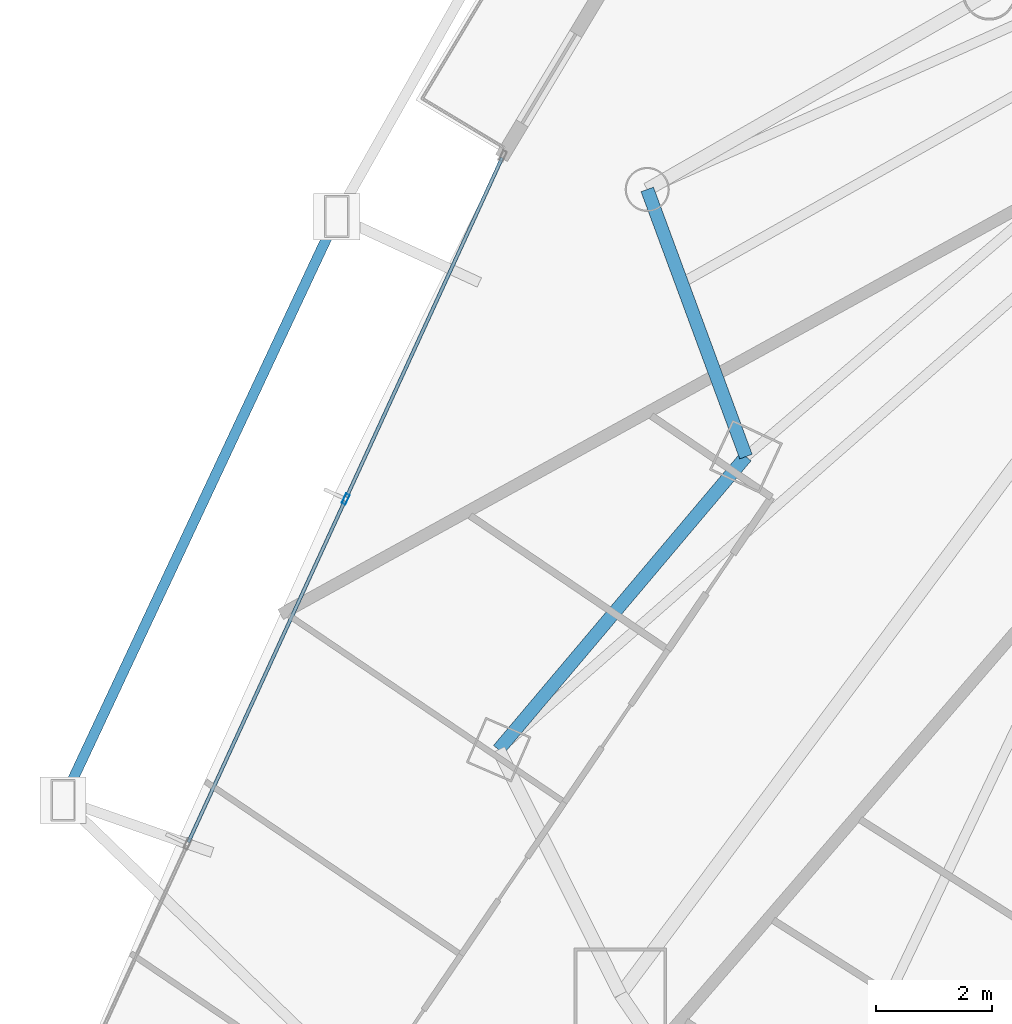
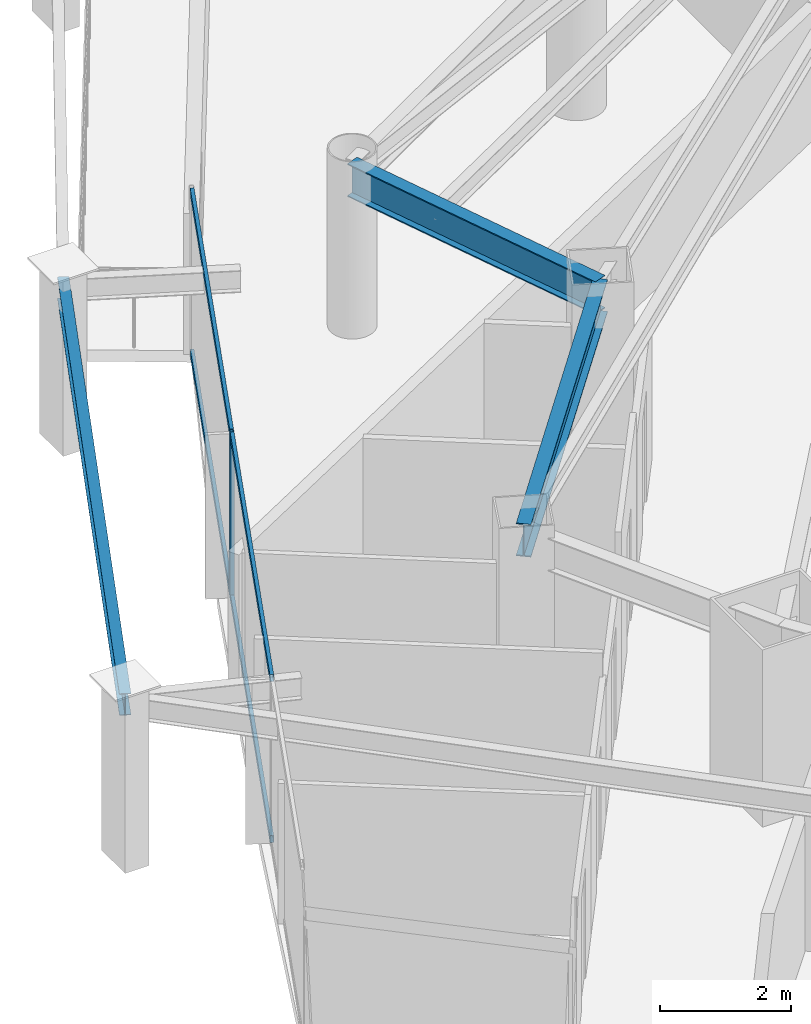
# One storey, part 9 of 35: 5 members, 3 beams, 1 element without a shape of its own.
"""IFC4 building model written with IfcOpenShell, lengths in metres."""

from ifc_helpers import new_model, si_unit, direction, frame, origin, origin_2d, place, context, subcontext, project, spatial, hollow_rectangle, i_section, extrude, material, layer, layer_set, material_profile, profile_set, type_object, element, aggregate, save


model = new_model("IFC4")

# Units and contexts
model_context = context("Model", 3, precision=1e-05, world=origin(), true_north=direction((0.0, 1.0)))
body_context = subcontext(model_context, "Body", "Model", "MODEL_VIEW")
ifc_project = project(units=[si_unit("LENGTHUNIT", "METRE"), si_unit("AREAUNIT", "SQUARE_METRE"), si_unit("VOLUMEUNIT", "CUBIC_METRE"), si_unit("PLANEANGLEUNIT", "RADIAN"), si_unit("MASSUNIT", "GRAM", prefix="KILO")], contexts=[model_context])

# Site, building, storey
site_placement = place(None, origin())
site = spatial("IfcSite", under=ifc_project, at=site_placement, CompositionType="ELEMENT")
building_placement = place(site_placement, origin())
building = spatial("IfcBuilding", under=site, at=building_placement, Name="Orvanel Arch Residences", CompositionType="ELEMENT")
storey_placement = place(building_placement, frame((0.0, 0.0, 30.199951171875)))
storey = spatial("IfcBuildingStorey", under=building, at=storey_placement, Name="L07", CompositionType="ELEMENT", Elevation=30.199951171875)

# Curtain wall, member
ifc_material_1 = material(Name="Bronze-anodised aluminium AA6063-T6", Category="aluminium")
ifc_layer = layer(ifc_material_1, 0.179931640625)
ifc_layer_set = layer_set([ifc_layer], Name="Bronze-anodised aluminium AA6063-T6")
curtain_wall_type = type_object("IfcCurtainWallType", Name="CW2-LOW-SYS", PredefinedType="NOTDEFINED", material=ifc_layer_set)
curtain_wall_placement = place(storey_placement, origin())
curtain_wall = element("IfcCurtainWall", 1, at=curtain_wall_placement, inside=storey, type_object=curtain_wall_type, Name="L07 CW2-LOW-SYS Unitised Curtain Wall", PredefinedType="NOTDEFINED")
ifc_material_profile_1 = material_profile(ifc_material_1, hollow_rectangle(XDim=0.070068359375, YDim=0.179931640625, WallThickness=0.00439453125, at=origin_2d()), Name="ALU180x70x4.5")
ifc_profile_set_1 = profile_set([ifc_material_profile_1], Name="Bronze-anodised aluminium AA6063-T6")
member_type_1 = type_object("IfcMemberType", Name="MUL-180x70", PredefinedType="MULLION", material=ifc_profile_set_1)
member_1_placement = place(storey_placement, frame((9.4541015625, 18.908447265625, 0.0), z_axis=(0.0, 0.0, 1.0), x_axis=(0.909015042916, -0.416763304229, 0.0)))
member_1 = element("IfcMember", 2, at=member_1_placement, type_object=member_type_1, Name="CW-S2 mullion 2", PredefinedType="MULLION", context=body_context, shape_type="SweptSolid", body=[
    extrude(hollow_rectangle(XDim=0.070068359375, YDim=0.179931640625, WallThickness=0.00439453125, at=origin_2d()), origin(), (0.0, 0.0, 1.0), 3.06005859375),
])

# Beams
ifc_material_2 = material(Name="Structural steel AS/NZS 3679.1 Grade 300 (300 MPa)", Category="steel")
ifc_material_profile_2 = material_profile(ifc_material_2, i_section(OverallWidth=0.177978515625, OverallDepth=0.406005859375, WebThickness=0.0078125, FlangeThickness=0.0126953125, at=origin_2d()), Name="410UB59.7")
ifc_profile_set_2 = profile_set([ifc_material_profile_2], Name="Structural steel AS/NZS 3679.1 Grade 300 (300 MPa)")
beam_type_1 = type_object("IfcBeamType", Name="OB-410UB-EXT", PredefinedType="SPANDREL", material=ifc_profile_set_2)
beam_1_placement = place(storey_placement, frame((9.300048828125, 23.787109375, 2.85693359375), z_axis=(-0.424615912587, -0.905373584095, 0.0), x_axis=(0.905373584095, -0.424615912587, 0.0)))
element("IfcBeam", 3, at=beam_1_placement, inside=storey, type_object=beam_type_1, Name="L07 Outer Perimeter Floor Ring Beam 03", PredefinedType="SPANDREL", context=body_context, shape_type="SweptSolid", body=[
    extrude(i_section(OverallWidth=0.177978515625, OverallDepth=0.406005859375, WebThickness=0.0078125, FlangeThickness=0.0126953125, at=origin_2d()), origin(), (0.0, 0.0, 1.0), 11.132568359375),
])
ifc_material_profile_3 = material_profile(ifc_material_2, i_section(OverallWidth=0.22900390625, OverallDepth=0.612060546875, WebThickness=0.011962890625, FlangeThickness=0.01953125, at=origin_2d()), Name="610UB125")
ifc_profile_set_3 = profile_set([ifc_material_profile_3], Name="Structural steel AS/NZS 3679.1 Grade 300 (300 MPa)")
beam_type_2 = type_object("IfcBeamType", Name="SP-610UB", PredefinedType="SPANDREL", material=ifc_profile_set_3)
beam_2_placement = place(storey_placement, frame((16.366943359375, 19.64208984375, 2.754150390625), z_axis=(-0.644950329775, -0.764224490659, 0.0), x_axis=(0.764224490659, -0.644950329775, 0.0)))
element("IfcBeam", 4, at=beam_2_placement, inside=storey, type_object=beam_type_2, Name="L07 Perimeter Spandrel Beam 01", PredefinedType="SPANDREL", context=body_context, shape_type="SweptSolid", body=[
    extrude(i_section(OverallWidth=0.22900390625, OverallDepth=0.612060546875, WebThickness=0.011962890625, FlangeThickness=0.01953125, at=origin_2d()), origin(), (0.0, 0.0, 1.0), 6.623779296875),
])
beam_3_placement = place(storey_placement, frame((14.662109375, 24.256103515625, 2.754150390625), z_axis=(0.346588434017, -0.938017301229, 0.0), x_axis=(0.938017301229, 0.346588434017, 0.0)))
element("IfcBeam", 5, at=beam_3_placement, inside=storey, type_object=beam_type_2, Name="L07 Perimeter Spandrel Beam 22", PredefinedType="SPANDREL", context=body_context, shape_type="SweptSolid", body=[
    extrude(i_section(OverallWidth=0.22900390625, OverallDepth=0.612060546875, WebThickness=0.011962890625, FlangeThickness=0.01953125, at=origin_2d()), origin(), (0.0, 0.0, 1.0), 4.9189453125),
])

# Member
ifc_material_profile_4 = material_profile(ifc_material_1, hollow_rectangle(XDim=0.06005859375, YDim=0.135009765625, WallThickness=0.00390625, at=origin_2d()), Name="ALU135x60x4")
ifc_profile_set_4 = profile_set([ifc_material_profile_4], Name="Bronze-anodised aluminium AA6063-T6")
member_type_2 = type_object("IfcMemberType", Name="TRN-135x60", PredefinedType="USERDEFINED", material=ifc_profile_set_4)
member_2_placement = place(storey_placement, frame((12.15576171875, 24.80126953125, 0.030029296875), z_axis=(-0.416773352325, -0.909010436019, 0.0), x_axis=(0.909010436019, -0.416773352325, 0.0)))
member_2 = element("IfcMember", 6, at=member_2_placement, type_object=member_type_2, Name="CW-S2 transom 1.1", ObjectType="TRANSOM", PredefinedType="USERDEFINED", context=body_context, shape_type="SweptSolid", body=[
    extrude(hollow_rectangle(XDim=0.06005859375, YDim=0.135009765625, WallThickness=0.00390625, at=origin_2d()), origin(), (0.0, 0.0, 1.0), 6.44775390625),
])

member_3_placement = place(storey_placement, frame((12.15576171875, 24.80126953125, 3.030029296875), z_axis=(-0.416773352325, -0.909010436019, 0.0), x_axis=(0.909010436019, -0.416773352325, 0.0)))
member_3 = element("IfcMember", 7, at=member_3_placement, type_object=member_type_2, Name="CW-S2 transom 1.2", ObjectType="TRANSOM", PredefinedType="USERDEFINED", context=body_context, shape_type="SweptSolid", body=[
    extrude(hollow_rectangle(XDim=0.06005859375, YDim=0.135009765625, WallThickness=0.00390625, at=origin_2d()), origin(), (0.0, 0.0, 1.0), 6.44775390625),
])

member_4_placement = place(storey_placement, frame((9.439453125, 18.87646484375, 0.030029296875), z_axis=(-0.416771411931, -0.90901132567, 0.0), x_axis=(0.90901132567, -0.416771411931, 0.0)))
member_4 = element("IfcMember", 8, at=member_4_placement, type_object=member_type_2, Name="CW-S2 transom 2.1", ObjectType="TRANSOM", PredefinedType="USERDEFINED", context=body_context, shape_type="SweptSolid", body=[
    extrude(hollow_rectangle(XDim=0.06005859375, YDim=0.135009765625, WallThickness=0.00390625, at=origin_2d()), origin(), (0.0, 0.0, 1.0), 6.48291015625),
])

member_5_placement = place(storey_placement, frame((9.439453125, 18.87646484375, 3.030029296875), z_axis=(-0.416771411931, -0.90901132567, 0.0), x_axis=(0.90901132567, -0.416771411931, 0.0)))
member_5 = element("IfcMember", 9, at=member_5_placement, type_object=member_type_2, Name="CW-S2 transom 2.2", ObjectType="TRANSOM", PredefinedType="USERDEFINED", context=body_context, shape_type="SweptSolid", body=[
    extrude(hollow_rectangle(XDim=0.06005859375, YDim=0.135009765625, WallThickness=0.00390625, at=origin_2d()), origin(), (0.0, 0.0, 1.0), 6.48291015625),
])

aggregate(curtain_wall, [member_1, member_2, member_3, member_4, member_5])

save(model, "model.ifc")
